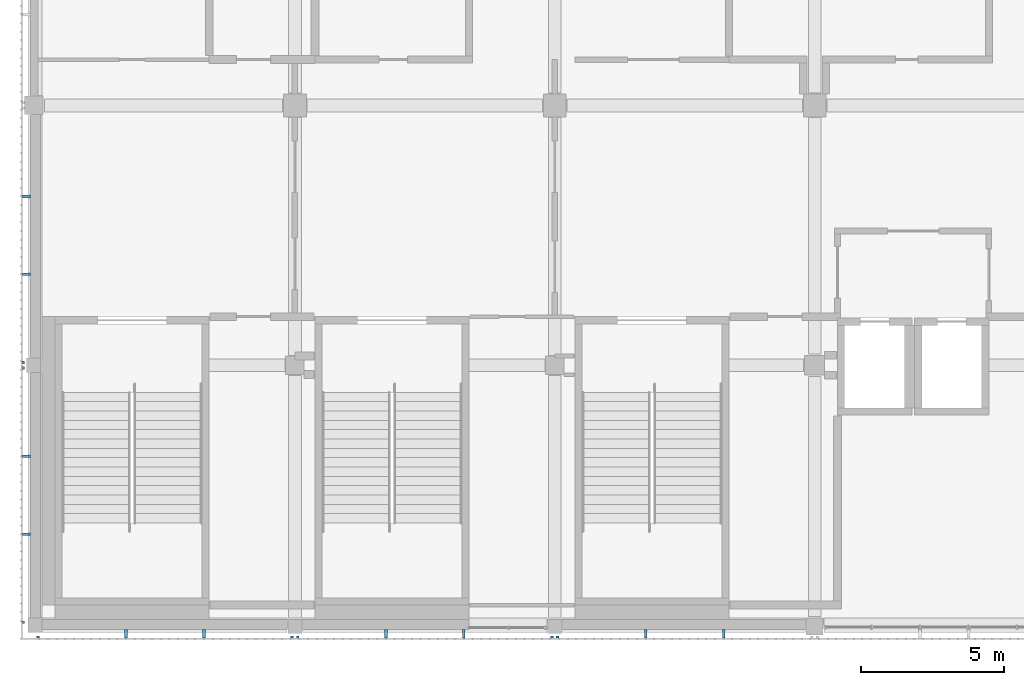
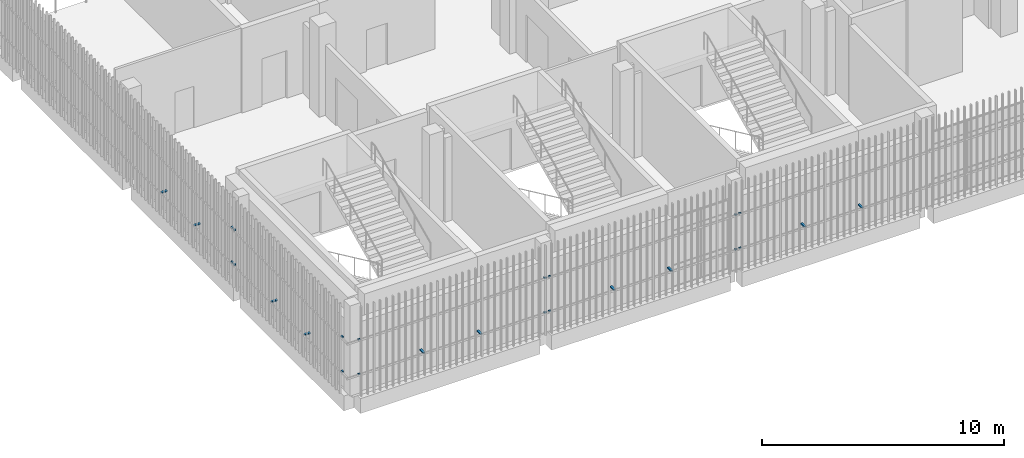
# One storey, part 72 of 104: 26 discrete accessories.
"""IFC4 building model written with IfcOpenShell, lengths in metres."""

import ifcopenshell
import ifcopenshell.guid

model = None  # the IFC model being written
_history = None  # IfcOwnerHistory: only IFC2X3 demands one
_inside = {}  # id of a spatial element -> (the spatial element, [elements in it])
_under = {}  # id of a project, library or spatial element -> (it, [spatial elements below it])
_declared = {}  # id of a project -> (the project, [libraries it declares])
_typed = {}  # id of a type object -> (the type object, [elements of that type])
_made_of = {}  # id of a material, layer set ... -> (it, [elements and type objects made of it])


def new_model(schema):
    """Start an empty IFC model of exactly this schema.

    Asked for "IFC4X3", IfcOpenShell would pick the latest addendum, in which some entities
    have other attributes; the version numbers below select the first issue.
    IFC2X3 requires an IfcOwnerHistory on every rooted entity: one is made here for all.
    """
    global model, _history
    if schema == "IFC4X3":
        model = ifcopenshell.file(schema_version=(4, 3, 0, 0))
    else:
        model = ifcopenshell.file(schema=schema)
    _inside.clear()
    _under.clear()
    _declared.clear()
    _typed.clear()
    _made_of.clear()
    _history = None
    if model.schema == "IFC2X3":
        org = make("IfcOrganization", Name="unknown")
        user = make(
            "IfcPersonAndOrganization",
            ThePerson=make("IfcPerson", FamilyName="unknown"),
            TheOrganization=org,
        )
        app = make(
            "IfcApplication",
            ApplicationDeveloper=org,
            Version="unknown",
            ApplicationFullName="unknown",
            ApplicationIdentifier="unknown",
        )
        _history = make(
            "IfcOwnerHistory",
            OwningUser=user,
            OwningApplication=app,
            ChangeAction="ADDED",
            CreationDate=0,
        )
    return model


def make(cls, **values):
    """One entity of the class cls with the attributes given. An attribute that is None is left unset."""
    return model.create_entity(
        cls, **{name: value for name, value in values.items() if value is not None}
    )


def rooted(cls, **values):
    """An entity with a GlobalId (a new one), such as an element, a storey or a relation."""
    return make(cls, GlobalId=ifcopenshell.guid.new(), OwnerHistory=_history, **values)


def si_unit(unit_type, name, prefix=None):
    """IfcSIUnit, for example si_unit("LENGTHUNIT", "METRE", prefix="MILLI")."""
    return make("IfcSIUnit", UnitType=unit_type, Prefix=prefix, Name=name)


def assignment(units):
    """IfcUnitAssignment: the units of a project."""
    return None if units is None else make("IfcUnitAssignment", Units=units)


def point(xyz):
    """IfcCartesianPoint."""
    return None if xyz is None else make("IfcCartesianPoint", Coordinates=xyz)


def direction(xyz):
    """IfcDirection."""
    return None if xyz is None else make("IfcDirection", DirectionRatios=xyz)


def frame(location, z_axis=None, x_axis=None):
    """IfcAxis2Placement3D, a coordinate frame: its origin and axes. An axis left out is left unset."""
    return make(
        "IfcAxis2Placement3D",
        Location=point(location),
        Axis=direction(z_axis),
        RefDirection=direction(x_axis),
    )


def frame_2d(location, x_axis=None):
    """IfcAxis2Placement2D, a coordinate frame in the plane: its origin and x axis."""
    return make(
        "IfcAxis2Placement2D", Location=point(location), RefDirection=direction(x_axis)
    )


def origin():
    """The frame at (0, 0, 0) with its axes left unset."""
    return frame((0.0, 0.0, 0.0))


def origin_2d():
    """The frame at (0, 0) in the plane with its x axis left unset."""
    return frame_2d((0.0, 0.0))


def place(relative_to, where):
    """IfcLocalPlacement: puts the frame where relative to a parent placement (None: the world)."""
    return make(
        "IfcLocalPlacement", PlacementRelTo=relative_to, RelativePlacement=where
    )


def context(
    kind, dimensions, precision=None, world=None, true_north=None, identifier=None
):
    """IfcGeometricRepresentationContext, for example the 3D "Model" context."""
    return make(
        "IfcGeometricRepresentationContext",
        ContextIdentifier=identifier,
        ContextType=kind,
        CoordinateSpaceDimension=dimensions,
        Precision=precision,
        WorldCoordinateSystem=world,
        TrueNorth=true_north,
    )


def subcontext(parent, identifier, kind, view, scale=None):
    """IfcGeometricRepresentationSubContext, for example "Body" below "Model"."""
    return make(
        "IfcGeometricRepresentationSubContext",
        ContextIdentifier=identifier,
        ContextType=kind,
        ParentContext=parent,
        TargetScale=scale,
        TargetView=view,
    )


def project(units=None, contexts=None):
    """IfcProject with its units and contexts."""
    return rooted(
        "IfcProject",
        Name="project",
        RepresentationContexts=contexts,
        UnitsInContext=assignment(units),
    )


def spatial(cls, under=None, at=None, **own):
    """A site, building, storey or space (cls), placed at a placement, below another one or the project."""
    s = rooted(cls, ObjectPlacement=at, **own)
    if under is not None:
        _under.setdefault(under.id(), (under, []))[1].append(s)
    return s


def profile(cls, at=None, kind="AREA", **sizes):
    """A parametric profile (cls). Its sizes go by their IFC names, for example OverallWidth=200.0."""
    return make(cls, ProfileType=kind, Position=at, **sizes)


def rectangle(**sizes):
    """IfcRectangleProfileDef."""
    return profile("IfcRectangleProfileDef", **sizes)


def extrude(swept, where, along, depth):
    """IfcExtrudedAreaSolid: the profile swept, set in the frame where, extruded along a direction by depth."""
    return make(
        "IfcExtrudedAreaSolid",
        SweptArea=swept,
        Position=where,
        ExtrudedDirection=direction(along),
        Depth=depth,
    )


def shape(context_of_items, identifier, shape_type, items):
    """IfcShapeRepresentation: the items that make up one representation, for example the "Body"."""
    return make(
        "IfcShapeRepresentation",
        ContextOfItems=context_of_items,
        RepresentationIdentifier=identifier,
        RepresentationType=shape_type,
        Items=items,
    )


def material(Name=None, Category=None):
    """IfcMaterial."""
    return make("IfcMaterial", Name=Name, Category=Category)


def made_of(thing, what):
    """Note that an element or type object is made of a material, layer set ...; save() writes the relation."""
    if what is not None:
        _made_of.setdefault(what.id(), (what, []))[1].append(thing)
    return thing


def type_object(cls, material=None, **own):
    """A type object (cls), such as IfcWallType, which elements share."""
    return made_of(rooted(cls, **own), material)


def element(
    cls,
    number,
    at=None,
    inside=None,
    cuts=None,
    type_object=None,
    material=None,
    context=None,
    identifier="Body",
    shape_type=None,
    held_by="IfcProductDefinitionShape",
    body=None,
    shapes=None,
    **own,
):
    """One element of the class cls, such as IfcWall. Its Tag is "e" and its number.

    at: its placement. inside: the storey or other place that contains it. cuts: it is an
    opening in that element (IfcRelVoidsElement). A single representation is given by context,
    identifier, shape_type and body (its items); several are given by shapes. held_by: the class
    of the entity that holds the representations. save() writes the other relations.
    """
    e = rooted(cls, Tag="e%d" % number, ObjectPlacement=at, **own)
    if body is not None:
        shapes = [shape(context, identifier, shape_type, body)]
    if shapes is not None:
        e.Representation = make(held_by, Representations=shapes)
    if inside is not None:
        _inside.setdefault(inside.id(), (inside, []))[1].append(e)
    if cuts is not None:
        rooted(
            "IfcRelVoidsElement", RelatingBuildingElement=cuts, RelatedOpeningElement=e
        )
    if type_object is not None:
        _typed.setdefault(type_object.id(), (type_object, []))[1].append(e)
    return made_of(e, material)


def aggregate(whole, parts):
    """IfcRelAggregates: a whole, such as a stair, and the parts it consists of."""
    return rooted("IfcRelAggregates", RelatingObject=whole, RelatedObjects=parts)


def save(model, path):
    """Write the relations noted so far, then the file.

    IfcRelAggregates (storeys below a building ...), IfcRelContainedInSpatialStructure (elements
    in a storey), IfcRelDefinesByType, IfcRelAssociatesMaterial and IfcRelDeclares: one each for
    every whole, place, type object, material and project.
    """
    for whole, parts in _under.values():
        aggregate(whole, parts)
    for where, things in _inside.values():
        rooted(
            "IfcRelContainedInSpatialStructure",
            RelatedElements=things,
            RelatingStructure=where,
        )
    for kind, things in _typed.values():
        rooted("IfcRelDefinesByType", RelatedObjects=things, RelatingType=kind)
    for what, things in _made_of.values():
        rooted("IfcRelAssociatesMaterial", RelatedObjects=things, RelatingMaterial=what)
    for by, libraries in _declared.values():
        rooted("IfcRelDeclares", RelatingContext=by, RelatedDefinitions=libraries)
    model.write(path)


model = new_model("IFC4")

# Units and contexts
model_context = context("Model", 3, precision=1e-05, world=origin(), true_north=direction((0.0, 1.0)))
body_context = subcontext(model_context, "Body", "Model", "MODEL_VIEW")
ifc_project = project(units=[si_unit("LENGTHUNIT", "METRE"), si_unit("AREAUNIT", "SQUARE_METRE"), si_unit("VOLUMEUNIT", "CUBIC_METRE"), si_unit("PLANEANGLEUNIT", "RADIAN"), si_unit("MASSUNIT", "GRAM", prefix="KILO")], contexts=[model_context])

# Site, building, storey
site_placement = place(None, origin())
site = spatial("IfcSite", under=ifc_project, at=site_placement, CompositionType="ELEMENT")
building_placement = place(site_placement, origin())
building = spatial("IfcBuilding", under=site, at=building_placement, Name="Shirokan Park Arena", CompositionType="ELEMENT")
storey_placement = place(building_placement, frame((0.0, 0.0, 10.919921875)))
storey = spatial("IfcBuildingStorey", under=building, at=storey_placement, Name="L02", CompositionType="ELEMENT", Elevation=10.919921875)

# Discrete accessories
ifc_material = material(Name="Steel S355", Category="steel")
discrete_accessory_type = type_object("IfcDiscreteAccessoryType", Name="Veil bracket 100x60", PredefinedType="BRACKET", material=ifc_material)
for number, where, z_axis, x_axis, name in (
    (1, (0.10009765625, -0.409912109375, 1.070068359375), (0.0, 0.0, 1.0), (1.0, 0.0, 0.0), "Veil bracket south bay 1 L02 1"),
    (2, (9.0, -0.409912109375, 1.070068359375), (0.0, 0.0, 1.0), (1.0, 0.0, 0.0), "Veil bracket south bay 1 L02 2"),
    (3, (0.10009765625, -0.409912109375, 2.820068359375), (0.0, 0.0, 1.0), (1.0, 0.0, 0.0), "Veil bracket south bay 1 L02 3"),
    (4, (9.0, -0.409912109375, 2.820068359375), (0.0, 0.0, 1.0), (1.0, 0.0, 0.0), "Veil bracket south bay 1 L02 4"),
):
    element("IfcDiscreteAccessory", number, at=place(storey_placement, frame(where, z_axis=z_axis, x_axis=x_axis)), inside=storey, type_object=discrete_accessory_type, Name=name, PredefinedType="BRACKET", context=body_context, shape_type="SweptSolid", body=[
        extrude(rectangle(XDim=0.10009765625, YDim=0.070068359375, at=origin_2d()), origin(), (0.0, 0.0, 1.0), 0.06005859375),
    ])
for number, where, z_axis, x_axis, name in (
    (5, (3.18505859375, -0.297607421875, 1.070068359375), (0.0, 0.0, 1.0), (1.0, 0.0, 0.0), "Veil bracket south bay 1 L02 wall 1"),
    (6, (5.9150390625, -0.297607421875, 1.070068359375), (0.0, 0.0, 1.0), (1.0, 0.0, 0.0), "Veil bracket south bay 1 L02 wall 2"),
):
    element("IfcDiscreteAccessory", number, at=place(storey_placement, frame(where, z_axis=z_axis, x_axis=x_axis)), inside=storey, type_object=discrete_accessory_type, Name=name, PredefinedType="BRACKET", context=body_context, shape_type="SweptSolid", body=[
        extrude(rectangle(XDim=0.10009765625, YDim=0.294921875, at=origin_2d()), origin(), (0.0, 0.0, 1.0), 0.06005859375),
    ])
for number, where, z_axis, x_axis, name in (
    (7, (9.199951171875, -0.409912109375, 1.070068359375), (0.0, 0.0, 1.0), (1.0, 0.0, 0.0), "Veil bracket south bay 2 L02 1"),
    (8, (18.10009765625, -0.409912109375, 1.070068359375), (0.0, 0.0, 1.0), (1.0, 0.0, 0.0), "Veil bracket south bay 2 L02 2"),
    (9, (9.199951171875, -0.409912109375, 2.820068359375), (0.0, 0.0, 1.0), (1.0, 0.0, 0.0), "Veil bracket south bay 2 L02 3"),
    (10, (18.10009765625, -0.409912109375, 2.820068359375), (0.0, 0.0, 1.0), (1.0, 0.0, 0.0), "Veil bracket south bay 2 L02 4"),
):
    element("IfcDiscreteAccessory", number, at=place(storey_placement, frame(where, z_axis=z_axis, x_axis=x_axis)), inside=storey, type_object=discrete_accessory_type, Name=name, PredefinedType="BRACKET", context=body_context, shape_type="SweptSolid", body=[
        extrude(rectangle(XDim=0.10009765625, YDim=0.070068359375, at=origin_2d()), origin(), (0.0, 0.0, 1.0), 0.06005859375),
    ])
for number, where, z_axis, x_axis, name in (
    (11, (12.284912109375, -0.297607421875, 1.070068359375), (0.0, 0.0, 1.0), (1.0, 0.0, 0.0), "Veil bracket south bay 2 L02 wall 1"),
    (12, (15.014892578125, -0.297607421875, 1.070068359375), (0.0, 0.0, 1.0), (1.0, 0.0, 0.0), "Veil bracket south bay 2 L02 wall 2"),
):
    element("IfcDiscreteAccessory", number, at=place(storey_placement, frame(where, z_axis=z_axis, x_axis=x_axis)), inside=storey, type_object=discrete_accessory_type, Name=name, PredefinedType="BRACKET", context=body_context, shape_type="SweptSolid", body=[
        extrude(rectangle(XDim=0.10009765625, YDim=0.294921875, at=origin_2d()), origin(), (0.0, 0.0, 1.0), 0.06005859375),
    ])
for number, where, z_axis, x_axis, name in (
    (13, (18.300048828125, -0.409912109375, 1.070068359375), (0.0, 0.0, 1.0), (1.0, 0.0, 0.0), "Veil bracket south bay 3 L02 1"),
    (14, (18.300048828125, -0.409912109375, 2.820068359375), (0.0, 0.0, 1.0), (1.0, 0.0, 0.0), "Veil bracket south bay 3 L02 3"),
):
    element("IfcDiscreteAccessory", number, at=place(storey_placement, frame(where, z_axis=z_axis, x_axis=x_axis)), inside=storey, type_object=discrete_accessory_type, Name=name, PredefinedType="BRACKET", context=body_context, shape_type="SweptSolid", body=[
        extrude(rectangle(XDim=0.10009765625, YDim=0.070068359375, at=origin_2d()), origin(), (0.0, 0.0, 1.0), 0.06005859375),
    ])
for number, where, z_axis, x_axis, name in (
    (15, (21.385009765625, -0.297607421875, 1.070068359375), (0.0, 0.0, 1.0), (1.0, 0.0, 0.0), "Veil bracket south bay 3 L02 wall 1"),
    (16, (24.114990234375, -0.297607421875, 1.070068359375), (0.0, 0.0, 1.0), (1.0, 0.0, 0.0), "Veil bracket south bay 3 L02 wall 2"),
):
    element("IfcDiscreteAccessory", number, at=place(storey_placement, frame(where, z_axis=z_axis, x_axis=x_axis)), inside=storey, type_object=discrete_accessory_type, Name=name, PredefinedType="BRACKET", context=body_context, shape_type="SweptSolid", body=[
        extrude(rectangle(XDim=0.10009765625, YDim=0.294921875, at=origin_2d()), origin(), (0.0, 0.0, 1.0), 0.06005859375),
    ])
for number, where, z_axis, x_axis, name in (
    (17, (-0.409912109375, 9.199951171875, 1.070068359375), (0.0, 0.0, 1.0), (0.0, -1.0, 0.0), "Veil bracket west bay 11 L02 2"),
    (18, (-0.409912109375, 9.199951171875, 2.820068359375), (0.0, 0.0, 1.0), (0.0, -1.0, 0.0), "Veil bracket west bay 11 L02 4"),
):
    element("IfcDiscreteAccessory", number, at=place(storey_placement, frame(where, z_axis=z_axis, x_axis=x_axis)), inside=storey, type_object=discrete_accessory_type, Name=name, PredefinedType="BRACKET", context=body_context, shape_type="SweptSolid", body=[
        extrude(rectangle(XDim=0.10009765625, YDim=0.070068359375, at=origin_2d()), origin(), (0.0, 0.0, 1.0), 0.06005859375),
    ])
for number, where, z_axis, x_axis, name in (
    (19, (-0.297607421875, 15.014892578125, 1.070068359375), (0.0, 0.0, 1.0), (0.0, -1.0, 0.0), "Veil bracket west bay 11 L02 wall 1"),
    (20, (-0.297607421875, 12.284912109375, 1.070068359375), (0.0, 0.0, 1.0), (0.0, -1.0, 0.0), "Veil bracket west bay 11 L02 wall 2"),
):
    element("IfcDiscreteAccessory", number, at=place(storey_placement, frame(where, z_axis=z_axis, x_axis=x_axis)), inside=storey, type_object=discrete_accessory_type, Name=name, PredefinedType="BRACKET", context=body_context, shape_type="SweptSolid", body=[
        extrude(rectangle(XDim=0.10009765625, YDim=0.294921875, at=origin_2d()), origin(), (0.0, 0.0, 1.0), 0.06005859375),
    ])
for number, where, z_axis, x_axis, name in (
    (21, (-0.409912109375, 9.0, 1.070068359375), (0.0, 0.0, 1.0), (0.0, -1.0, 0.0), "Veil bracket west bay 12 L02 1"),
    (22, (-0.409912109375, 0.10009765625, 1.070068359375), (0.0, 0.0, 1.0), (0.0, -1.0, 0.0), "Veil bracket west bay 12 L02 2"),
    (23, (-0.409912109375, 9.0, 2.820068359375), (0.0, 0.0, 1.0), (0.0, -1.0, 0.0), "Veil bracket west bay 12 L02 3"),
    (24, (-0.409912109375, 0.10009765625, 2.820068359375), (0.0, 0.0, 1.0), (0.0, -1.0, 0.0), "Veil bracket west bay 12 L02 4"),
):
    element("IfcDiscreteAccessory", number, at=place(storey_placement, frame(where, z_axis=z_axis, x_axis=x_axis)), inside=storey, type_object=discrete_accessory_type, Name=name, PredefinedType="BRACKET", context=body_context, shape_type="SweptSolid", body=[
        extrude(rectangle(XDim=0.10009765625, YDim=0.070068359375, at=origin_2d()), origin(), (0.0, 0.0, 1.0), 0.06005859375),
    ])
for number, where, z_axis, x_axis, name in (
    (25, (-0.297607421875, 5.9150390625, 1.070068359375), (0.0, 0.0, 1.0), (0.0, -1.0, 0.0), "Veil bracket west bay 12 L02 wall 1"),
    (26, (-0.297607421875, 3.18505859375, 1.070068359375), (0.0, 0.0, 1.0), (0.0, -1.0, 0.0), "Veil bracket west bay 12 L02 wall 2"),
):
    element("IfcDiscreteAccessory", number, at=place(storey_placement, frame(where, z_axis=z_axis, x_axis=x_axis)), inside=storey, type_object=discrete_accessory_type, Name=name, PredefinedType="BRACKET", context=body_context, shape_type="SweptSolid", body=[
        extrude(rectangle(XDim=0.10009765625, YDim=0.294921875, at=origin_2d()), origin(), (0.0, 0.0, 1.0), 0.06005859375),
    ])

save(model, "model.ifc")
